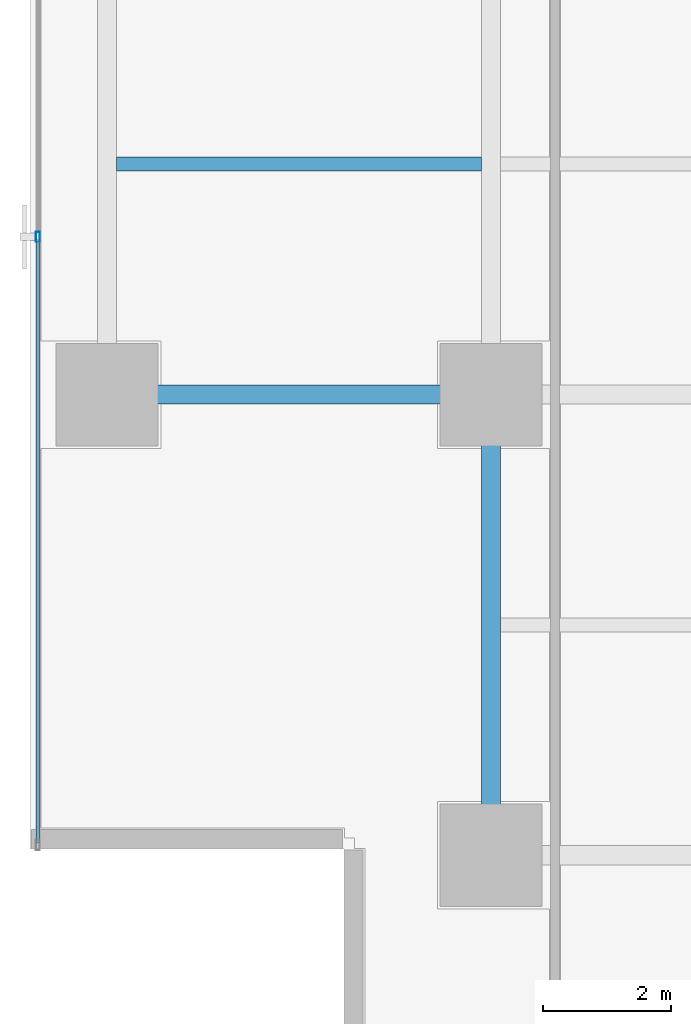
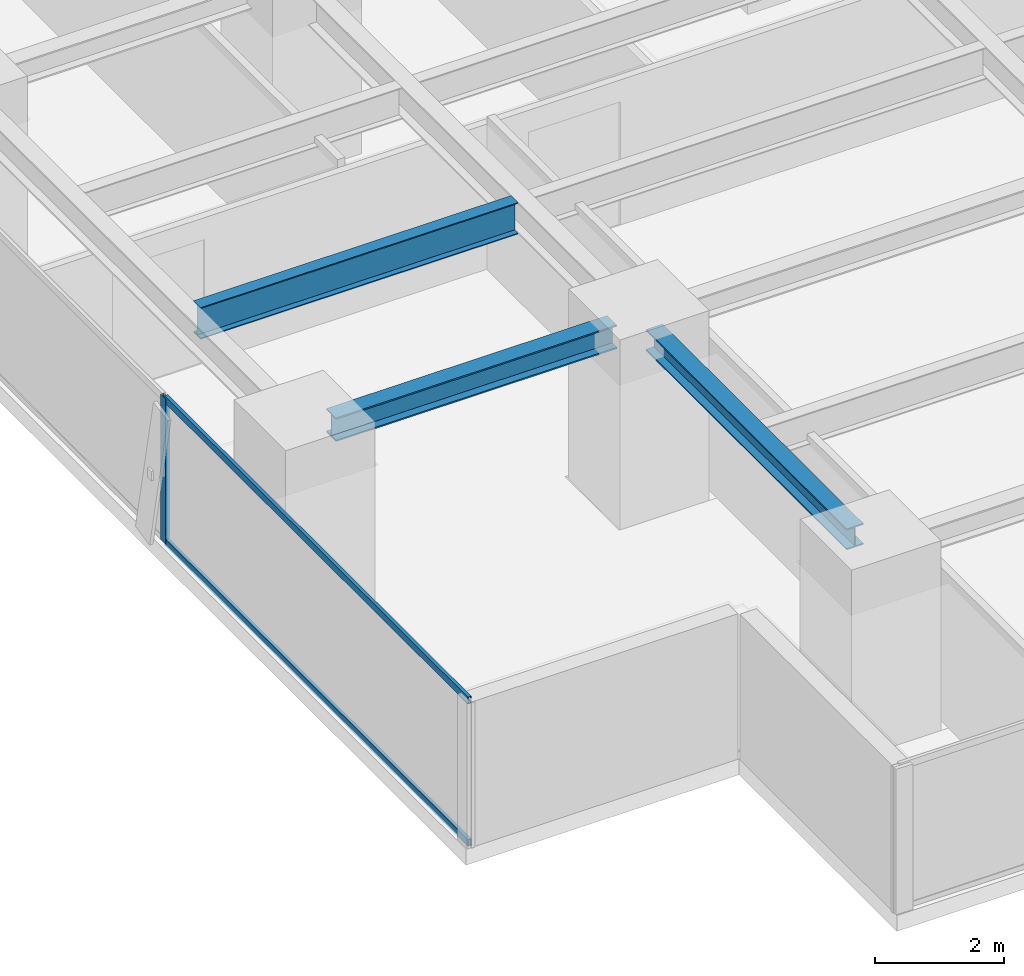
# One storey, part 3 of 29: 3 beams, 3 members, 1 element without a shape of its own.
"""IFC4 building model written with IfcOpenShell, lengths in metres."""

from ifc_helpers import new_model, si_unit, direction, frame, origin, origin_2d, place, context, subcontext, project, spatial, hollow_rectangle, i_section, extrude, source, transform, mapped, material, layer, layer_set, material_profile, profile_set, type_object, element, aggregate, save


model = new_model("IFC4")

# Units and contexts
model_context = context("Model", 3, precision=1e-05, world=origin(), true_north=direction((0.0, 1.0)))
body_context = subcontext(model_context, "Body", "Model", "MODEL_VIEW")
ifc_project = project(units=[si_unit("LENGTHUNIT", "METRE"), si_unit("AREAUNIT", "SQUARE_METRE"), si_unit("VOLUMEUNIT", "CUBIC_METRE"), si_unit("PLANEANGLEUNIT", "RADIAN"), si_unit("MASSUNIT", "GRAM", prefix="KILO")], contexts=[model_context])

# Site, building, storey
site_placement = place(None, origin())
site = spatial("IfcSite", under=ifc_project, at=site_placement, CompositionType="ELEMENT")
building_placement = place(site_placement, origin())
building = spatial("IfcBuilding", under=site, at=building_placement, Name="Sumidabori Civic Tower", CompositionType="ELEMENT")
storey_placement = place(building_placement, frame((0.0, 0.0, 131.60009765625)))
storey = spatial("IfcBuildingStorey", under=building, at=storey_placement, Name="L33", CompositionType="ELEMENT", Elevation=131.60009765625)

# Beams
ifc_material_1 = material(Name="Steel SN490", Category="steel")
ifc_material_profile_1 = material_profile(ifc_material_1, i_section(OverallWidth=0.300048828125, OverallDepth=0.39990234375, WebThickness=0.013427734375, FlangeThickness=0.02392578125, at=origin_2d()), Name="HE 400 B")
ifc_profile_set_1 = profile_set([ifc_material_profile_1], Name="Steel SN490")
beam_type_1 = type_object("IfcBeamType", Name="BM-GIRD-400", PredefinedType="BEAM", material=ifc_profile_set_1)
shared_shape_1 = source(origin(), body_context, "Body", "SweptSolid", [
    extrude(i_section(OverallWidth=0.300048828125, OverallDepth=0.39990234375, WebThickness=0.013427734375, FlangeThickness=0.02392578125, at=origin_2d()), origin(), (0.0, 0.0, 1.0), 6.239990234375),
])
beam_1_placement = place(storey_placement, frame((-16.800048828125, -17.52001953125, 3.179931640625), z_axis=(0.0, 1.0, 0.0), x_axis=(-1.0, 0.0, 0.0)))
element("IfcBeam", 1, at=beam_1_placement, inside=storey, type_object=beam_type_1, Name="Primary Girder L33 GY-22", PredefinedType="BEAM", context=body_context, shape_type="MappedRepresentation", body=[
    mapped(shared_shape_1, transform((0.0, 0.0, 0.0), x_axis=(1.0, 0.0, 0.0), y_axis=(0.0, 1.0, 0.0), z_axis=(0.0, 0.0, 1.0), scale=1.0)),
])
ifc_material_profile_2 = material_profile(ifc_material_1, i_section(OverallWidth=0.219970703125, OverallDepth=0.60009765625, WebThickness=0.011962890625, FlangeThickness=0.01904296875, at=origin_2d()), Name="IPE 600")
ifc_profile_set_2 = profile_set([ifc_material_profile_2], Name="Steel SN490")
beam_type_2 = type_object("IfcBeamType", Name="BM-JST-600", PredefinedType="JOIST", material=ifc_profile_set_2)
shared_shape_2 = source(origin(), body_context, "Body", "SweptSolid", [
    extrude(i_section(OverallWidth=0.219970703125, OverallDepth=0.60009765625, WebThickness=0.011962890625, FlangeThickness=0.01904296875, at=origin_2d()), origin(), (0.0, 0.0, 1.0), 5.699951171875),
])
beam_2_placement = place(storey_placement, frame((-22.64990234375, -7.199951171875, 3.079833984375), z_axis=(1.0, 0.0, 0.0), x_axis=(0.0, 1.0, 0.0)))
element("IfcBeam", 2, at=beam_2_placement, inside=storey, type_object=beam_type_2, Name="Outer Bay Floor Joist L33 JSTO-39", PredefinedType="JOIST", context=body_context, shape_type="MappedRepresentation", body=[
    mapped(shared_shape_2, transform((0.0, 0.0, 0.0), x_axis=(1.0, 0.0, 0.0), y_axis=(0.0, 1.0, 0.0), z_axis=(0.0, 0.0, 1.0), scale=1.0)),
])
ifc_material_profile_3 = material_profile(ifc_material_1, i_section(OverallWidth=0.300048828125, OverallDepth=0.449951171875, WebThickness=0.013916015625, FlangeThickness=0.02587890625, at=origin_2d()), Name="HE 450 B")
ifc_profile_set_3 = profile_set([ifc_material_profile_3], Name="Steel SN490")
beam_type_3 = type_object("IfcBeamType", Name="BM-GIRD-450", PredefinedType="BEAM", material=ifc_profile_set_3)
shared_shape_3 = source(origin(), body_context, "Body", "SweptSolid", [
    extrude(i_section(OverallWidth=0.300048828125, OverallDepth=0.449951171875, WebThickness=0.013916015625, FlangeThickness=0.02587890625, at=origin_2d()), origin(), (0.0, 0.0, 1.0), 5.0400390625),
])
beam_3_placement = place(storey_placement, frame((-22.320068359375, -10.800048828125, 3.15478515625), z_axis=(1.0, 0.0, 0.0), x_axis=(0.0, 1.0, 0.0)))
element("IfcBeam", 3, at=beam_3_placement, inside=storey, type_object=beam_type_3, Name="Primary Girder L33 GX-05", PredefinedType="BEAM", context=body_context, shape_type="MappedRepresentation", body=[
    mapped(shared_shape_3, transform((0.0, 0.0, 0.0), x_axis=(1.0, 0.0, 0.0), y_axis=(0.0, 1.0, 0.0), z_axis=(0.0, 0.0, 1.0), scale=1.0)),
])

# Curtain wall, members
ifc_material_2 = material(Name="Anodised Bronze Aluminium AW-6063-T6", Category="aluminium")
ifc_layer = layer(ifc_material_2, 0.179931640625, Name="Anodised Bronze Aluminium AW-6063-T6")
ifc_layer_set = layer_set([ifc_layer], Name="Anodised Bronze Aluminium AW-6063-T6")
curtain_wall_type = type_object("IfcCurtainWallType", Name="CW-SYS-3", PredefinedType="NOTDEFINED", material=ifc_layer_set)
curtain_wall_placement = place(storey_placement, origin())
curtain_wall = element("IfcCurtainWall", 4, at=curtain_wall_placement, inside=storey, type_object=curtain_wall_type, Name="Curtain Wall CW:L33:R10", PredefinedType="NOTDEFINED")
ifc_material_profile_4 = material_profile(ifc_material_2, hollow_rectangle(XDim=0.06494140625, YDim=0.159912109375, WallThickness=0.0048828125, at=origin_2d()), Name="ALU MULLION 160x65")
ifc_profile_set_4 = profile_set([ifc_material_profile_4], Name="Anodised Bronze Aluminium AW-6063-T6")
member_type_1 = type_object("IfcMemberType", Name="CW-MUL-160", PredefinedType="MULLION", material=ifc_profile_set_4)
shared_shape_4 = source(origin(), body_context, "Body", "SweptSolid", [
    extrude(hollow_rectangle(XDim=0.06494140625, YDim=0.159912109375, WallThickness=0.0048828125, at=origin_2d()), origin(), (0.0, 0.0, 1.0), 2.760009765625),
])
member_1_placement = place(storey_placement, frame((-23.8798828125, -8.3349609375, 0.0), z_axis=(0.0, 0.0, 1.0), x_axis=(1.0, 0.0, 0.0)))
member_1 = element("IfcMember", 5, at=member_1_placement, type_object=member_type_1, Name="CW-3 mullion 4", PredefinedType="MULLION", context=body_context, shape_type="MappedRepresentation", body=[
    mapped(shared_shape_4, transform((0.0, 0.0, 0.0), x_axis=(1.0, 0.0, 0.0), y_axis=(0.0, 1.0, 0.0), z_axis=(0.0, 0.0, 1.0), scale=1.0)),
])
ifc_material_profile_5 = material_profile(ifc_material_2, hollow_rectangle(XDim=0.06005859375, YDim=0.1298828125, WallThickness=0.0048828125, at=origin_2d()), Name="ALU TRANSOM 130x60")
ifc_profile_set_5 = profile_set([ifc_material_profile_5], Name="Anodised Bronze Aluminium AW-6063-T6")
member_type_2 = type_object("IfcMemberType", Name="CW-TRN-130", PredefinedType="USERDEFINED", material=ifc_profile_set_5)
shared_shape_5 = source(origin(), body_context, "Body", "SweptSolid", [
    extrude(hollow_rectangle(XDim=0.06005859375, YDim=0.1298828125, WallThickness=0.0048828125, at=origin_2d()), origin(), (0.0, 0.0, 1.0), 9.4375),
])
member_2_placement = place(storey_placement, frame((-23.8798828125, -8.367431640625, 0.02978515625), z_axis=(0.0, -1.0, 0.0), x_axis=(1.0, 0.0, 0.0)))
member_2 = element("IfcMember", 6, at=member_2_placement, type_object=member_type_2, Name="CW-3 transom 4.1", ObjectType="TRANSOM", PredefinedType="USERDEFINED", context=body_context, shape_type="MappedRepresentation", body=[
    mapped(shared_shape_5, transform((0.0, 0.0, 0.0), x_axis=(1.0, 0.0, 0.0), y_axis=(0.0, 1.0, 0.0), z_axis=(0.0, 0.0, 1.0), scale=1.0)),
])
member_3_placement = place(storey_placement, frame((-23.8798828125, -8.367431640625, 2.72998046875), z_axis=(0.0, -1.0, 0.0), x_axis=(1.0, 0.0, 0.0)))
member_3 = element("IfcMember", 7, at=member_3_placement, type_object=member_type_2, Name="CW-3 transom 4.2", ObjectType="TRANSOM", PredefinedType="USERDEFINED", context=body_context, shape_type="MappedRepresentation", body=[
    mapped(shared_shape_5, transform((0.0, 0.0, 0.0), x_axis=(1.0, 0.0, 0.0), y_axis=(0.0, 1.0, 0.0), z_axis=(0.0, 0.0, 1.0), scale=1.0)),
])
aggregate(curtain_wall, [member_1, member_2, member_3])

save(model, "model.ifc")
